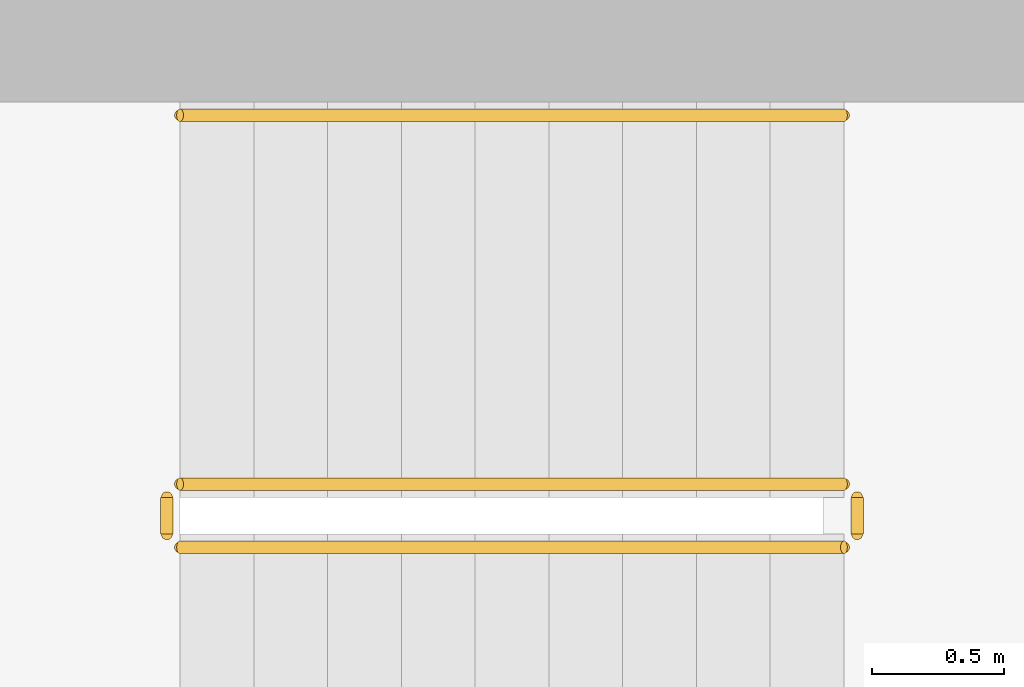
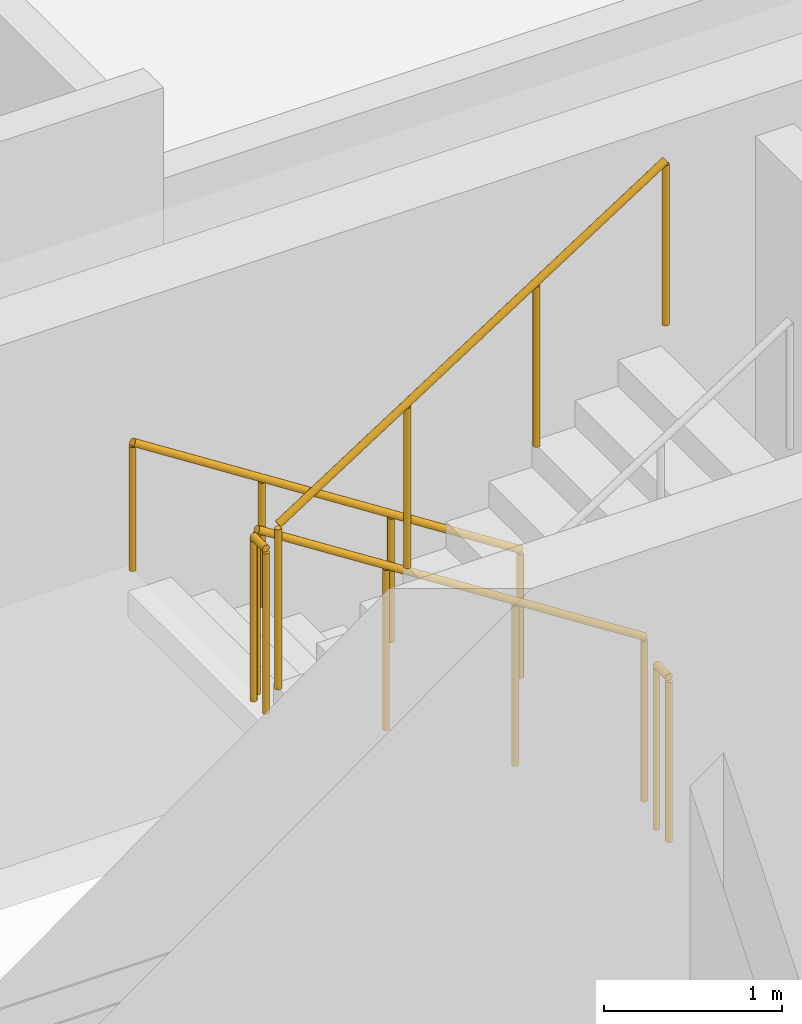
# One storey, part 13 of 14: 5 railings.
"""IFC4 building model written with IfcOpenShell, lengths in metres."""

from ifc_helpers import new_model, si_unit, derived_unit, direction, frame, origin, origin_2d, place, context, subcontext, project, spatial, circle, extrude, material, type_object, element, save


model = new_model("IFC4")

# Units and contexts
model_context = context("Model", 3, precision=1e-05, world=origin(), true_north=direction((0.0, 1.0)))
body_context = subcontext(model_context, "Body", "Model", "MODEL_VIEW")
ifc_project = project(units=[si_unit("LENGTHUNIT", "METRE"), si_unit("AREAUNIT", "SQUARE_METRE"), si_unit("VOLUMEUNIT", "CUBIC_METRE"), si_unit("PLANEANGLEUNIT", "RADIAN"), si_unit("MASSUNIT", "GRAM", prefix="KILO"), derived_unit("THERMALTRANSMITTANCEUNIT", [(si_unit("POWERUNIT", "WATT"), 1), (si_unit("LENGTHUNIT", "METRE"), -2), (si_unit("THERMODYNAMICTEMPERATUREUNIT", "KELVIN"), -1)])], contexts=[model_context])

# Site, building, storey
site_placement = place(None, origin())
site = spatial("IfcSite", under=ifc_project, at=site_placement, CompositionType="ELEMENT")
building_placement = place(site_placement, origin())
building = spatial("IfcBuilding", under=site, at=building_placement, Name="Kivonza Crest Hotel", CompositionType="ELEMENT")
storey_placement = place(building_placement, frame((0.0, 0.0, 202.699951171875)))
storey = spatial("IfcBuildingStorey", under=building, at=storey_placement, Name="L55", CompositionType="ELEMENT", Elevation=202.699951171875)

# Railings
ifc_material_1 = material(Name="Brushed stainless steel handrail", Category="steel")
railing_type_1 = type_object("IfcRailingType", Name="RL-HAND-900", PredefinedType="HANDRAIL", material=ifc_material_1)
railing_1_placement = place(storey_placement, frame((12.239990234375, 36.110107421875, 0.179931640625)))
element("IfcRailing", 1, at=railing_1_placement, inside=storey, type_object=railing_type_1, Name="L55 ST-T1-N stair handrail 1", PredefinedType="HANDRAIL", context=body_context, shape_type="SweptSolid", body=[
    extrude(circle(Radius=0.02392578125, at=origin_2d()), frame((0.0, 0.0, 0.8759765625), z_axis=(-0.841162588446, 0.0, 0.540782303519), x_axis=(0.0, -1.0, 0.0)), (0.0, 0.0, 1.0), 2.995849609375),
    extrude(circle(Radius=0.02099609375, at=origin_2d()), origin(), (0.0, 0.0, 1.0), 0.851806640625),
    extrude(circle(Radius=0.02099609375, at=origin_2d()), frame((-0.840087890625, 0.0, 0.5400390625)), (0.0, 0.0, 1.0), 0.851806640625),
    extrude(circle(Radius=0.02099609375, at=origin_2d()), frame((-1.679931640625, 0.0, 1.080078125)), (0.0, 0.0, 1.0), 0.851806640625),
    extrude(circle(Radius=0.02099609375, at=origin_2d()), frame((-2.52001953125, 0.0, 1.6201171875)), (0.0, 0.0, 1.0), 0.851806640625),
])
ifc_material_2 = material(Name="Painted steel balustrade", Category="steel")
railing_type_2 = type_object("IfcRailingType", Name="RL-STAIR-1150", PredefinedType="BALUSTRADE", material=ifc_material_2)
railing_2_placement = place(storey_placement, frame((12.239990234375, 34.7099609375, 0.179931640625)))
element("IfcRailing", 2, at=railing_2_placement, inside=storey, type_object=railing_type_2, Name="L55 ST-T1-N stair guard 1", PredefinedType="BALUSTRADE", context=body_context, shape_type="SweptSolid", body=[
    extrude(circle(Radius=0.02392578125, at=origin_2d()), frame((0.0, 0.0, 1.1259765625), z_axis=(-0.841162588446, 0.0, 0.540782303519), x_axis=(0.0, -1.0, 0.0)), (0.0, 0.0, 1.0), 2.995849609375),
    extrude(circle(Radius=0.02099609375, at=origin_2d()), origin(), (0.0, 0.0, 1.0), 1.101806640625),
    extrude(circle(Radius=0.02099609375, at=origin_2d()), frame((-0.840087890625, 0.0, 0.5400390625)), (0.0, 0.0, 1.0), 1.101806640625),
    extrude(circle(Radius=0.02099609375, at=origin_2d()), frame((-1.679931640625, 0.0, 1.080078125)), (0.0, 0.0, 1.0), 1.101806640625),
    extrude(circle(Radius=0.02099609375, at=origin_2d()), frame((-2.52001953125, 0.0, 1.6201171875)), (0.0, 0.0, 1.0), 1.101806640625),
])
railing_3_placement = place(storey_placement, frame((9.669921875, 34.659912109375, 1.800048828125)))
element("IfcRailing", 3, at=railing_3_placement, inside=storey, type_object=railing_type_2, Name="L55 ST-T1-N stair guard 2", PredefinedType="BALUSTRADE", context=body_context, shape_type="SweptSolid", body=[
    extrude(circle(Radius=0.02392578125, at=origin_2d()), frame((0.0, 0.0, 1.1259765625), z_axis=(0.0, -1.0, 0.0), x_axis=(1.0, 0.0, 0.0)), (0.0, 0.0, 1.0), 0.139892578125),
    extrude(circle(Radius=0.02099609375, at=origin_2d()), origin(), (0.0, 0.0, 1.0), 1.101806640625),
    extrude(circle(Radius=0.02099609375, at=origin_2d()), frame((0.0, -0.139892578125, 0.0)), (0.0, 0.0, 1.0), 1.101806640625),
])
railing_4_placement = place(storey_placement, frame((9.719970703125, 34.469970703125, 1.97998046875)))
element("IfcRailing", 4, at=railing_4_placement, inside=storey, type_object=railing_type_2, Name="L55 ST-T1-N stair guard 3", PredefinedType="BALUSTRADE", context=body_context, shape_type="SweptSolid", body=[
    extrude(circle(Radius=0.02392578125, at=origin_2d()), frame((0.0, 0.0, 1.1259765625), z_axis=(0.841162588446, 0.0, 0.540782303519), x_axis=(0.0, 1.0, 0.0)), (0.0, 0.0, 1.0), 2.995849609375),
    extrude(circle(Radius=0.02099609375, at=origin_2d()), origin(), (0.0, 0.0, 1.0), 1.101806640625),
    extrude(circle(Radius=0.02099609375, at=origin_2d()), frame((0.840087890625, 0.0, 0.5400390625)), (0.0, 0.0, 1.0), 1.101806640625),
    extrude(circle(Radius=0.02099609375, at=origin_2d()), frame((1.679931640625, 0.0, 1.080078125)), (0.0, 0.0, 1.0), 1.101806640625),
    extrude(circle(Radius=0.02099609375, at=origin_2d()), frame((2.52001953125, 0.0, 1.6201171875)), (0.0, 0.0, 1.0), 1.101806640625),
])
railing_5_placement = place(storey_placement, frame((12.2900390625, 34.659912109375, 0.0)))
element("IfcRailing", 5, at=railing_5_placement, inside=storey, type_object=railing_type_2, Name="L55 ST-T1-N stair guard 4", PredefinedType="BALUSTRADE", context=body_context, shape_type="SweptSolid", body=[
    extrude(circle(Radius=0.02392578125, at=origin_2d()), frame((0.0, 0.0, 1.1259765625), z_axis=(0.0, -1.0, 0.0), x_axis=(1.0, 0.0, 0.0)), (0.0, 0.0, 1.0), 0.139892578125),
    extrude(circle(Radius=0.02099609375, at=origin_2d()), origin(), (0.0, 0.0, 1.0), 1.101806640625),
    extrude(circle(Radius=0.02099609375, at=origin_2d()), frame((0.0, -0.139892578125, 0.0)), (0.0, 0.0, 1.0), 1.101806640625),
])

save(model, "model.ifc")
